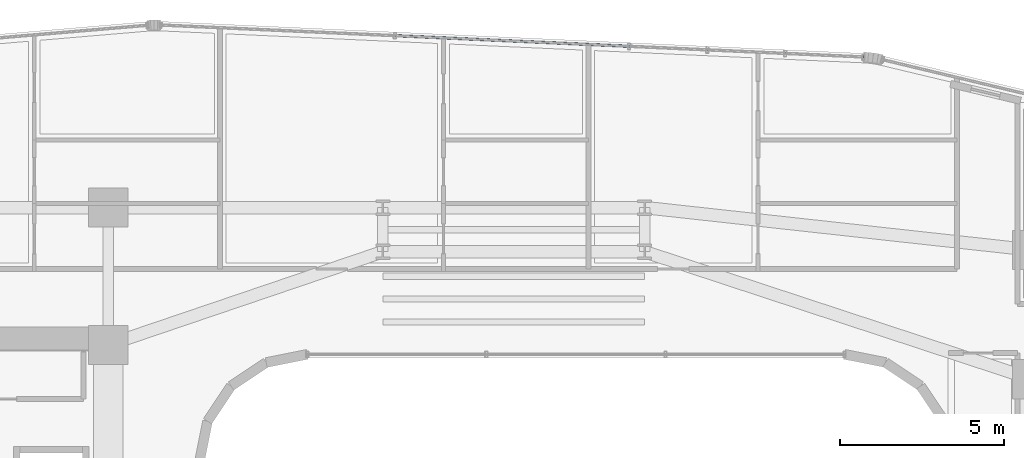
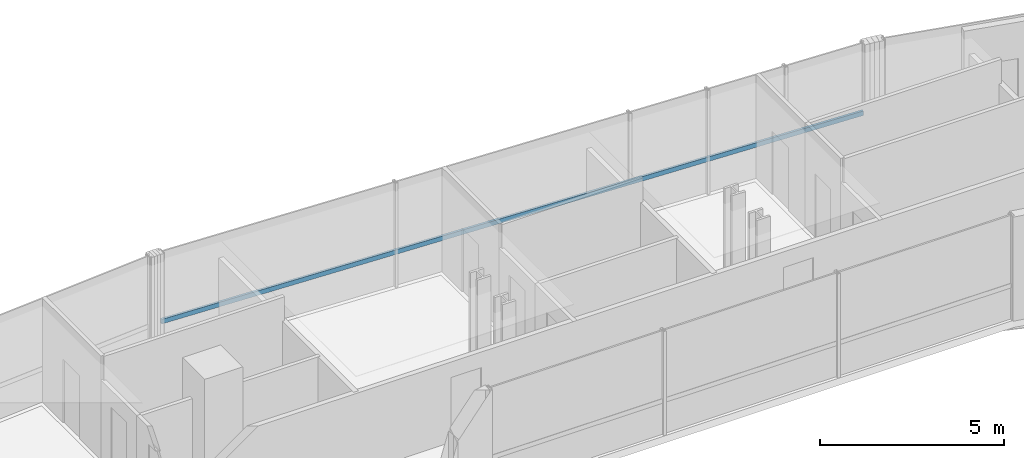
# One storey, part 23 of 37: 1 member, 1 element without a shape of its own.
"""IFC4 building model written with IfcOpenShell, lengths in metres."""

from ifc_helpers import new_model, si_unit, direction, frame, origin, origin_2d, place, context, subcontext, project, spatial, hollow_rectangle, extrude, source, transform, mapped, material, material_profile, profile_set, type_object, element, aggregate, save


model = new_model("IFC4")

# Units and contexts
model_context = context("Model", 3, precision=1e-05, world=origin(), true_north=direction((0.0, 1.0)))
body_context = subcontext(model_context, "Body", "Model", "MODEL_VIEW")
ifc_project = project(units=[si_unit("LENGTHUNIT", "METRE"), si_unit("AREAUNIT", "SQUARE_METRE"), si_unit("VOLUMEUNIT", "CUBIC_METRE"), si_unit("PLANEANGLEUNIT", "RADIAN"), si_unit("MASSUNIT", "GRAM", prefix="KILO")], contexts=[model_context])

# Site, building, storey
site_placement = place(None, origin())
site = spatial("IfcSite", under=ifc_project, at=site_placement, CompositionType="ELEMENT")
building_placement = place(site_placement, origin())
building = spatial("IfcBuilding", under=site, at=building_placement, Name="Valdorenza Pilgrim Sanctuary Tower", CompositionType="ELEMENT")
storey_placement = place(building_placement, frame((0.0, 0.0, 127.89990234375)))
storey = spatial("IfcBuildingStorey", under=building, at=storey_placement, Name="L32", CompositionType="ELEMENT", Elevation=127.89990234375)

# Curtain wall, member
ifc_material_1 = material(Name="Curtain-wall IGU glazing", Category="glass")
curtain_wall_type = type_object("IfcCurtainWallType", Name="CW-SYS-02", PredefinedType="NOTDEFINED", material=ifc_material_1)
curtain_wall_placement = place(storey_placement, origin())
curtain_wall = element("IfcCurtainWall", 1, at=curtain_wall_placement, inside=storey, type_object=curtain_wall_type, Name="L32 Curtain Wall CW-L32-1-11", PredefinedType="NOTDEFINED")
ifc_material_2 = material(Name="Anodised aluminium AW-6060", Category="aluminium")
ifc_material_profile = material_profile(ifc_material_2, hollow_rectangle(XDim=0.074951171875, YDim=0.14990234375, WallThickness=0.00390625, at=origin_2d()), Name="ALU-T 150x75x4")
ifc_profile_set = profile_set([ifc_material_profile], Name="Anodised aluminium AW-6060")
member_type = type_object("IfcMemberType", Name="CW-TRN-02", PredefinedType="USERDEFINED", material=ifc_profile_set)
shared_shape = source(origin(), body_context, "Body", "SweptSolid", [
    extrude(hollow_rectangle(XDim=0.074951171875, YDim=0.14990234375, WallThickness=0.00390625, at=origin_2d()), origin(), (0.0, 0.0, 1.0), 21.5078125),
])
member_placement = place(storey_placement, frame((-10.795654296875, 20.380615234375, 1.1201171875), z_axis=(0.99896865723, -0.045405086403, 0.0), x_axis=(0.045405086403, 0.99896865723, 0.0)))
member = element("IfcMember", 2, at=member_placement, type_object=member_type, Name="CW-L32-1-11 Transom 1", ObjectType="TRANSOM", PredefinedType="USERDEFINED", context=body_context, shape_type="MappedRepresentation", body=[
    mapped(shared_shape, transform((0.0, 0.0, 0.0), x_axis=(1.0, 0.0, 0.0), y_axis=(0.0, 1.0, 0.0), z_axis=(0.0, 0.0, 1.0), scale=1.0)),
])
aggregate(curtain_wall, [member])

save(model, "model.ifc")
